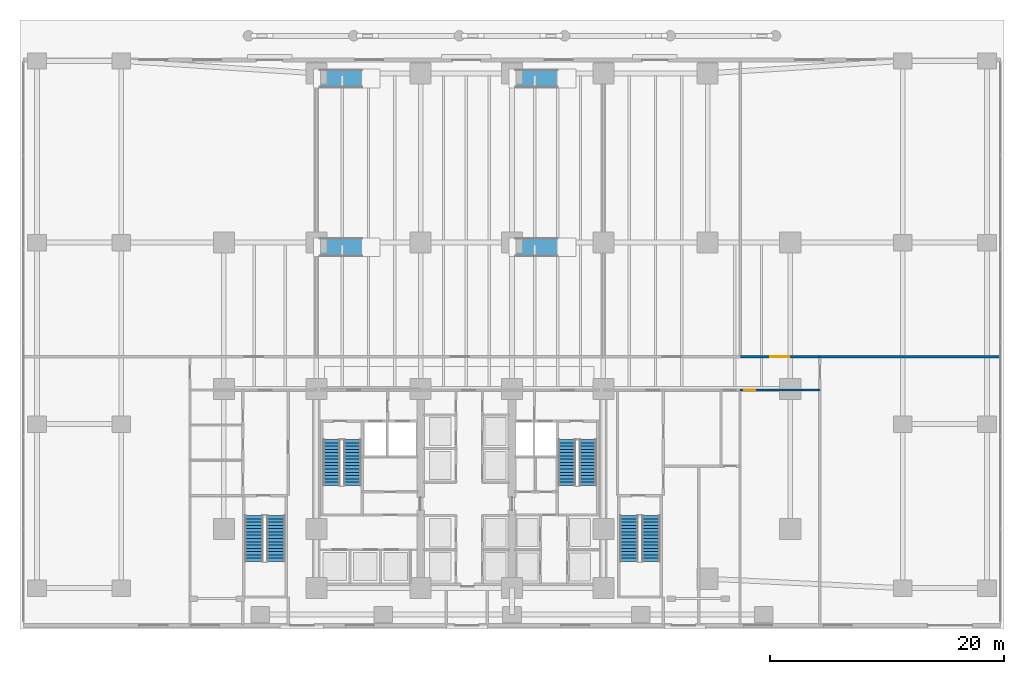
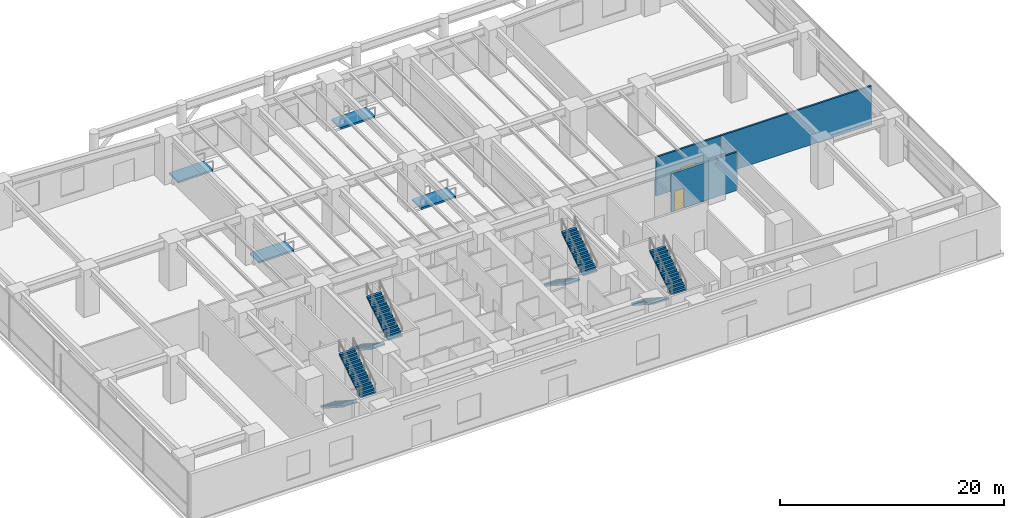
# One storey, part 15 of 19: 8 stair flights, 4 ramp flights, 3 walls, 2 doors, 2 openings, 8 elements without a shape of their own.
"""IFC4 building model written with IfcOpenShell, lengths in metres."""

from ifc_helpers import new_model, si_unit, direction, frame, frame_2d, origin, place, context, subcontext, project, spatial, polyline, rectangle, outline, extrude, material, layer, layer_set, type_object, element, fill, aggregate, save


model = new_model("IFC4")

# Units and contexts
model_context = context("Model", 3, precision=1e-05, world=origin(), true_north=direction((0.0, 1.0)))
body_context = subcontext(model_context, "Body", "Model", "MODEL_VIEW")
ifc_project = project(units=[si_unit("LENGTHUNIT", "METRE"), si_unit("AREAUNIT", "SQUARE_METRE"), si_unit("VOLUMEUNIT", "CUBIC_METRE"), si_unit("PLANEANGLEUNIT", "RADIAN"), si_unit("MASSUNIT", "GRAM", prefix="KILO")], contexts=[model_context])

# Site, building, storey
site_placement = place(None, origin())
site = spatial("IfcSite", under=ifc_project, at=site_placement, CompositionType="ELEMENT")
building_placement = place(site_placement, origin())
building = spatial("IfcBuilding", under=site, at=building_placement, Name="Qalmaran Belvedere Hotel", CompositionType="ELEMENT")
storey_placement = place(building_placement, origin())
storey = spatial("IfcBuildingStorey", under=building, at=storey_placement, Name="L00", CompositionType="ELEMENT", Elevation=0.0)

# Wall, opening, door
ifc_material_1 = material(Name="Gypsum Stud Partition")
ifc_layer_1 = layer(ifc_material_1, 0.179931640625, Name="Gypsum Stud Partition")
ifc_layer_set_1 = layer_set([ifc_layer_1], Name="Gypsum Stud Partition")
wall_type = type_object("IfcWallType", Name="WL-INT-180-EI60", PredefinedType="PARTITIONING", material=ifc_layer_set_1)
wall_1_placement = place(storey_placement, frame((56.47998046875, 20.419921875, 0.0), z_axis=(0.0, 0.0, 1.0), x_axis=(1.0, 0.0, 0.0)))
wall_1 = element("IfcWall", 1, at=wall_1_placement, inside=storey, type_object=wall_type, Name="L00 Partition WL-L00-VALN", PredefinedType="PARTITIONING", context=body_context, shape_type="SweptSolid", body=[
    extrude(rectangle(XDim=6.800048828125, YDim=0.179931640625, at=frame_2d((3.39990234375, 0.0))), origin(), (0.0, 0.0, 1.0), 4.1640625),
])
opening_1_placement = place(wall_1_placement, frame((1.28759765625, 0.0, 0.0), z_axis=(0.0, 0.0, 1.0), x_axis=(-1.0, 0.0, 0.0)))
opening_1 = element("IfcOpeningElement", 2, at=opening_1_placement, cuts=wall_1, Name="Opening FD60", PredefinedType="OPENING", context=body_context, shape_type="SweptSolid", body=[
    extrude(rectangle(XDim=0.949951171875, YDim=2.14990234375, at=frame_2d((0.47509765625, 1.074951171875))), frame((0.0, 0.10009765625, 0.0), z_axis=(0.0, -1.0, 0.0), x_axis=(1.0, 0.0, 0.0)), (0.0, 0.0, 1.0), 0.199951171875),
])
ifc_material_2 = material(Name="Engineered Oak Veneer")
door_type_1 = type_object("IfcDoorType", Name="DR-FD60-950X2150", OperationType="NOTDEFINED", PredefinedType="DOOR", material=ifc_material_2)
door_1_placement = place(opening_1_placement, origin())
door_1 = element("IfcDoor", 3, at=door_1_placement, inside=storey, type_object=door_type_1, Name="L00 Valet Office Door", OperationType="SINGLE_SWING_LEFT", OverallHeight=2.14990234375, OverallWidth=0.949951171875, PredefinedType="DOOR", context=body_context, shape_type="SweptSolid", body=[
    extrude(rectangle(XDim=0.949951171875, YDim=2.14990234375, at=frame_2d((0.47509765625, 1.074951171875))), frame((0.0, 0.02490234375, 0.0), z_axis=(0.0, -1.0, 0.0), x_axis=(1.0, 0.0, 0.0)), (0.0, 0.0, 1.0), 0.050048828125),
])
fill(opening_1, door_1)

wall_2_placement = place(storey_placement, frame((56.5, 23.25, 0.0), z_axis=(0.0, 0.0, 1.0), x_axis=(1.0, 0.0, 0.0)))
wall_2 = element("IfcWall", 4, at=wall_2_placement, inside=storey, type_object=wall_type, Name="L00 Partition WL-L00-GND4", PredefinedType="PARTITIONING", context=body_context, shape_type="SweptSolid", body=[
    extrude(rectangle(XDim=6.699951171875, YDim=0.179931640625, at=frame_2d((3.35009765625, 0.0))), origin(), (0.0, 0.0, 1.0), 4.22998046875),
])
opening_2_placement = place(wall_2_placement, frame((2.550048828125, 0.0, 0.0)))
opening_2 = element("IfcOpeningElement", 5, at=opening_2_placement, cuts=wall_2, Name="Opening FD60D", PredefinedType="OPENING", context=body_context, shape_type="SweptSolid", body=[
    extrude(rectangle(XDim=1.60009765625, YDim=2.219970703125, at=frame_2d((0.800048828125, 1.10986328125))), frame((0.0, 0.10009765625, 0.0), z_axis=(0.0, -1.0, 0.0), x_axis=(1.0, 0.0, 0.0)), (0.0, 0.0, 1.0), 0.199951171875),
])
door_type_2 = type_object("IfcDoorType", Name="DR-FD60D-1600X2220", OperationType="NOTDEFINED", PredefinedType="DOOR", material=ifc_material_2)
door_2_placement = place(opening_2_placement, origin())
door_2 = element("IfcDoor", 6, at=door_2_placement, inside=storey, type_object=door_type_2, Name="L00 Luxury Retail Boutique Door", OperationType="DOUBLE_DOOR_SINGLE_SWING", OverallHeight=2.219970703125, OverallWidth=1.60009765625, PredefinedType="DOOR", context=body_context, shape_type="SweptSolid", body=[
    extrude(rectangle(XDim=1.60009765625, YDim=2.219970703125, at=frame_2d((0.800048828125, 1.10986328125))), frame((0.0, 0.02490234375, 0.0), z_axis=(0.0, -1.0, 0.0), x_axis=(1.0, 0.0, 0.0)), (0.0, 0.0, 1.0), 0.050048828125),
])
fill(opening_2, door_2)

# Wall
wall_3_placement = place(storey_placement, frame((63.199951171875, 23.25, 0.0), z_axis=(0.0, 0.0, 1.0), x_axis=(1.0, 0.0, 0.0)))
element("IfcWall", 7, at=wall_3_placement, inside=storey, type_object=wall_type, Name="L00 Partition WL-L00-GNE4", PredefinedType="PARTITIONING", context=body_context, shape_type="SweptSolid", body=[
    extrude(rectangle(XDim=15.580078125, YDim=0.179931640625, at=frame_2d((7.7900390625, 0.0))), origin(), (0.0, 0.0, 1.0), 4.22998046875),
])

# Stair, stair flights
ifc_material_3 = material(Name="Concrete C40/50", Category="concrete")
stair_type_1 = type_object("IfcStairType", Name="STR-ST-1-1450-R1800", PredefinedType="HALF_TURN_STAIR", material=ifc_material_3)
stair_1_placement = place(storey_placement, origin())
stair_1 = element("IfcStair", 8, at=stair_1_placement, inside=storey, type_object=stair_type_1, Name="L00 West Core Exit Stair ST-1", PredefinedType="HALF_TURN_STAIR")
ifc_layer_2 = layer(ifc_material_3, 0.14990234375, Name="Concrete C40/50")
ifc_layer_set_2 = layer_set([ifc_layer_2], Name="Concrete C40/50")
stair_flight_type_1 = type_object("IfcStairFlightType", Name="STF-ST-1-1450-R1800", PredefinedType="STRAIGHT", material=ifc_layer_set_2)
stair_flight_1_placement = place(storey_placement, frame((21.60498046875, 16.18994140625, 0.0), z_axis=(0.0, 0.0, 1.0), x_axis=(0.0, -1.0, 0.0)))
stair_flight_1 = element("IfcStairFlight", 9, at=stair_flight_1_placement, type_object=stair_flight_type_1, Name="ST-1 flight 1", NumberOfRisers=15, NumberOfTreads=14, PredefinedType="STRAIGHT", RiserHeight=0.18, TreadLength=0.28, context=body_context, shape_type="SweptSolid", body=[
    extrude(outline(polyline([(0.0, 0.0), (0.0, 0.179931640625), (0.280029296875, 0.179931640625), (0.280029296875, 0.360107421875), (0.56005859375, 0.360107421875), (0.56005859375, 0.5400390625), (0.840087890625, 0.5400390625), (0.840087890625, 0.719970703125), (1.1201171875, 0.719970703125), (1.1201171875, 0.89990234375), (1.39990234375, 0.89990234375), (1.39990234375, 1.080078125), (1.679931640625, 1.080078125), (1.679931640625, 1.260009765625), (1.9599609375, 1.260009765625), (1.9599609375, 1.43994140625), (2.239990234375, 1.43994140625), (2.239990234375, 1.6201171875), (2.52001953125, 1.6201171875), (2.52001953125, 1.800048828125), (2.800048828125, 1.800048828125), (2.800048828125, 1.97998046875), (3.080078125, 1.97998046875), (3.080078125, 2.159912109375), (3.360107421875, 2.159912109375), (3.360107421875, 2.340087890625), (3.639892578125, 2.340087890625), (3.639892578125, 2.52001953125), (3.919921875, 2.52001953125), (3.919921875, 2.699951171875), (3.919921875, 2.341796875), (0.277099609375, 0.0), (0.0, 0.0)])), frame((0.0, 0.72509765625, 0.0), z_axis=(0.0, -1.0, 0.0), x_axis=(1.0, 0.0, 0.0)), (0.0, 0.0, 1.0), 1.449951171875),
])
stair_flight_2_placement = place(storey_placement, frame((23.39501953125, 12.27001953125, 2.699951171875), z_axis=(0.0, 0.0, 1.0), x_axis=(0.0, 1.0, 0.0)))
stair_flight_2 = element("IfcStairFlight", 10, at=stair_flight_2_placement, type_object=stair_flight_type_1, Name="ST-1 flight 2", NumberOfRisers=15, NumberOfTreads=14, PredefinedType="STRAIGHT", RiserHeight=0.18, TreadLength=0.28, context=body_context, shape_type="SweptSolid", body=[
    extrude(outline(polyline([(0.0, 0.0), (0.0, 0.179931640625), (0.280029296875, 0.179931640625), (0.280029296875, 0.360107421875), (0.56005859375, 0.360107421875), (0.56005859375, 0.5400390625), (0.840087890625, 0.5400390625), (0.840087890625, 0.719970703125), (1.1201171875, 0.719970703125), (1.1201171875, 0.89990234375), (1.39990234375, 0.89990234375), (1.39990234375, 1.080078125), (1.679931640625, 1.080078125), (1.679931640625, 1.260009765625), (1.9599609375, 1.260009765625), (1.9599609375, 1.43994140625), (2.239990234375, 1.43994140625), (2.239990234375, 1.6201171875), (2.52001953125, 1.6201171875), (2.52001953125, 1.800048828125), (2.800048828125, 1.800048828125), (2.800048828125, 1.97998046875), (3.080078125, 1.97998046875), (3.080078125, 2.159912109375), (3.360107421875, 2.159912109375), (3.360107421875, 2.340087890625), (3.639892578125, 2.340087890625), (3.639892578125, 2.52001953125), (3.919921875, 2.52001953125), (3.919921875, 2.699951171875), (3.919921875, 2.341796875), (0.277099609375, 0.0), (0.0, 0.0)])), frame((0.0, 0.72509765625, 0.0), z_axis=(0.0, -1.0, 0.0), x_axis=(1.0, 0.0, 0.0)), (0.0, 0.0, 1.0), 1.449951171875),
])
aggregate(stair_1, [stair_flight_1, stair_flight_2])

stair_type_2 = type_object("IfcStairType", Name="STR-ST-2-1450-R1800", PredefinedType="HALF_TURN_STAIR", material=ifc_material_3)
stair_2_placement = place(storey_placement, origin())
stair_2 = element("IfcStair", 11, at=stair_2_placement, inside=storey, type_object=stair_type_2, Name="L00 East Core Exit Stair ST-2", PredefinedType="HALF_TURN_STAIR")
ifc_layer_3 = layer(ifc_material_3, 0.14990234375, Name="Concrete C40/50")
ifc_layer_set_3 = layer_set([ifc_layer_3], Name="Concrete C40/50")
stair_flight_type_2 = type_object("IfcStairFlightType", Name="STF-ST-2-1450-R1800", PredefinedType="STRAIGHT", material=ifc_layer_set_3)
stair_flight_3_placement = place(storey_placement, frame((41.68505859375, 16.18994140625, 0.0), z_axis=(0.0, 0.0, 1.0), x_axis=(0.0, -1.0, 0.0)))
stair_flight_3 = element("IfcStairFlight", 12, at=stair_flight_3_placement, type_object=stair_flight_type_2, Name="ST-2 flight 1", NumberOfRisers=15, NumberOfTreads=14, PredefinedType="STRAIGHT", RiserHeight=0.18, TreadLength=0.28, context=body_context, shape_type="SweptSolid", body=[
    extrude(outline(polyline([(0.0, 0.0), (0.0, 0.179931640625), (0.280029296875, 0.179931640625), (0.280029296875, 0.360107421875), (0.56005859375, 0.360107421875), (0.56005859375, 0.5400390625), (0.840087890625, 0.5400390625), (0.840087890625, 0.719970703125), (1.1201171875, 0.719970703125), (1.1201171875, 0.89990234375), (1.39990234375, 0.89990234375), (1.39990234375, 1.080078125), (1.679931640625, 1.080078125), (1.679931640625, 1.260009765625), (1.9599609375, 1.260009765625), (1.9599609375, 1.43994140625), (2.239990234375, 1.43994140625), (2.239990234375, 1.6201171875), (2.52001953125, 1.6201171875), (2.52001953125, 1.800048828125), (2.800048828125, 1.800048828125), (2.800048828125, 1.97998046875), (3.080078125, 1.97998046875), (3.080078125, 2.159912109375), (3.360107421875, 2.159912109375), (3.360107421875, 2.340087890625), (3.639892578125, 2.340087890625), (3.639892578125, 2.52001953125), (3.919921875, 2.52001953125), (3.919921875, 2.699951171875), (3.919921875, 2.341796875), (0.277099609375, 0.0), (0.0, 0.0)])), frame((0.0, 0.72509765625, 0.0), z_axis=(0.0, -1.0, 0.0), x_axis=(1.0, 0.0, 0.0)), (0.0, 0.0, 1.0), 1.449951171875),
])
stair_flight_4_placement = place(storey_placement, frame((43.47509765625, 12.27001953125, 2.699951171875), z_axis=(0.0, 0.0, 1.0), x_axis=(0.0, 1.0, 0.0)))
stair_flight_4 = element("IfcStairFlight", 13, at=stair_flight_4_placement, type_object=stair_flight_type_2, Name="ST-2 flight 2", NumberOfRisers=15, NumberOfTreads=14, PredefinedType="STRAIGHT", RiserHeight=0.18, TreadLength=0.28, context=body_context, shape_type="SweptSolid", body=[
    extrude(outline(polyline([(0.0, 0.0), (0.0, 0.179931640625), (0.280029296875, 0.179931640625), (0.280029296875, 0.360107421875), (0.56005859375, 0.360107421875), (0.56005859375, 0.5400390625), (0.840087890625, 0.5400390625), (0.840087890625, 0.719970703125), (1.1201171875, 0.719970703125), (1.1201171875, 0.89990234375), (1.39990234375, 0.89990234375), (1.39990234375, 1.080078125), (1.679931640625, 1.080078125), (1.679931640625, 1.260009765625), (1.9599609375, 1.260009765625), (1.9599609375, 1.43994140625), (2.239990234375, 1.43994140625), (2.239990234375, 1.6201171875), (2.52001953125, 1.6201171875), (2.52001953125, 1.800048828125), (2.800048828125, 1.800048828125), (2.800048828125, 1.97998046875), (3.080078125, 1.97998046875), (3.080078125, 2.159912109375), (3.360107421875, 2.159912109375), (3.360107421875, 2.340087890625), (3.639892578125, 2.340087890625), (3.639892578125, 2.52001953125), (3.919921875, 2.52001953125), (3.919921875, 2.699951171875), (3.919921875, 2.341796875), (0.277099609375, 0.0), (0.0, 0.0)])), frame((0.0, 0.72509765625, 0.0), z_axis=(0.0, -1.0, 0.0), x_axis=(1.0, 0.0, 0.0)), (0.0, 0.0, 1.0), 1.449951171875),
])
aggregate(stair_2, [stair_flight_3, stair_flight_4])

stair_type_3 = type_object("IfcStairType", Name="STR-ST-P1-1550-R1800", PredefinedType="HALF_TURN_STAIR", material=ifc_material_3)
stair_3_placement = place(storey_placement, origin())
stair_3 = element("IfcStair", 14, at=stair_3_placement, inside=storey, type_object=stair_type_3, Name="L00 West Podium Exit Stair ST-P1", PredefinedType="HALF_TURN_STAIR")
ifc_layer_4 = layer(ifc_material_3, 0.14990234375, Name="Concrete C40/50")
ifc_layer_set_4 = layer_set([ifc_layer_4], Name="Concrete C40/50")
stair_flight_type_3 = type_object("IfcStairFlightType", Name="STF-ST-P1-1550-R1800", PredefinedType="STRAIGHT", material=ifc_layer_set_4)
stair_flight_5_placement = place(storey_placement, frame((14.97509765625, 9.699951171875, 0.0), z_axis=(0.0, 0.0, 1.0), x_axis=(0.0, -1.0, 0.0)))
stair_flight_5 = element("IfcStairFlight", 15, at=stair_flight_5_placement, type_object=stair_flight_type_3, Name="ST-P1 flight 1", NumberOfRisers=15, NumberOfTreads=14, PredefinedType="STRAIGHT", RiserHeight=0.18, TreadLength=0.28, context=body_context, shape_type="SweptSolid", body=[
    extrude(outline(polyline([(0.0, 0.0), (0.0, 0.179931640625), (0.280029296875, 0.179931640625), (0.280029296875, 0.360107421875), (0.56005859375, 0.360107421875), (0.56005859375, 0.5400390625), (0.840087890625, 0.5400390625), (0.840087890625, 0.719970703125), (1.1201171875, 0.719970703125), (1.1201171875, 0.89990234375), (1.39990234375, 0.89990234375), (1.39990234375, 1.080078125), (1.679931640625, 1.080078125), (1.679931640625, 1.260009765625), (1.9599609375, 1.260009765625), (1.9599609375, 1.43994140625), (2.239990234375, 1.43994140625), (2.239990234375, 1.6201171875), (2.52001953125, 1.6201171875), (2.52001953125, 1.800048828125), (2.800048828125, 1.800048828125), (2.800048828125, 1.97998046875), (3.080078125, 1.97998046875), (3.080078125, 2.159912109375), (3.360107421875, 2.159912109375), (3.360107421875, 2.340087890625), (3.639892578125, 2.340087890625), (3.639892578125, 2.52001953125), (3.919921875, 2.52001953125), (3.919921875, 2.699951171875), (3.919921875, 2.341796875), (0.277099609375, 0.0), (0.0, 0.0)])), frame((0.0, 0.77490234375, 0.0), z_axis=(0.0, -1.0, 0.0), x_axis=(1.0, 0.0, 0.0)), (0.0, 0.0, 1.0), 1.550048828125),
])
stair_flight_6_placement = place(storey_placement, frame((16.864990234375, 5.780029296875, 2.699951171875), z_axis=(0.0, 0.0, 1.0), x_axis=(0.0, 1.0, 0.0)))
stair_flight_6 = element("IfcStairFlight", 16, at=stair_flight_6_placement, type_object=stair_flight_type_3, Name="ST-P1 flight 2", NumberOfRisers=15, NumberOfTreads=14, PredefinedType="STRAIGHT", RiserHeight=0.18, TreadLength=0.28, context=body_context, shape_type="SweptSolid", body=[
    extrude(outline(polyline([(0.0, 0.0), (0.0, 0.179931640625), (0.280029296875, 0.179931640625), (0.280029296875, 0.360107421875), (0.56005859375, 0.360107421875), (0.56005859375, 0.5400390625), (0.840087890625, 0.5400390625), (0.840087890625, 0.719970703125), (1.1201171875, 0.719970703125), (1.1201171875, 0.89990234375), (1.39990234375, 0.89990234375), (1.39990234375, 1.080078125), (1.679931640625, 1.080078125), (1.679931640625, 1.260009765625), (1.9599609375, 1.260009765625), (1.9599609375, 1.43994140625), (2.239990234375, 1.43994140625), (2.239990234375, 1.6201171875), (2.52001953125, 1.6201171875), (2.52001953125, 1.800048828125), (2.800048828125, 1.800048828125), (2.800048828125, 1.97998046875), (3.080078125, 1.97998046875), (3.080078125, 2.159912109375), (3.360107421875, 2.159912109375), (3.360107421875, 2.340087890625), (3.639892578125, 2.340087890625), (3.639892578125, 2.52001953125), (3.919921875, 2.52001953125), (3.919921875, 2.699951171875), (3.919921875, 2.341796875), (0.277099609375, 0.0), (0.0, 0.0)])), frame((0.0, 0.77490234375, 0.0), z_axis=(0.0, -1.0, 0.0), x_axis=(1.0, 0.0, 0.0)), (0.0, 0.0, 1.0), 1.550048828125),
])
aggregate(stair_3, [stair_flight_5, stair_flight_6])

stair_type_4 = type_object("IfcStairType", Name="STR-ST-P2-1550-R1800", PredefinedType="HALF_TURN_STAIR", material=ifc_material_3)
stair_4_placement = place(storey_placement, origin())
stair_4 = element("IfcStair", 17, at=stair_4_placement, inside=storey, type_object=stair_type_4, Name="L00 East Podium Exit Stair ST-P2", PredefinedType="HALF_TURN_STAIR")
ifc_layer_5 = layer(ifc_material_3, 0.14990234375, Name="Concrete C40/50")
ifc_layer_set_5 = layer_set([ifc_layer_5], Name="Concrete C40/50")
stair_flight_type_4 = type_object("IfcStairFlightType", Name="STF-ST-P2-1550-R1800", PredefinedType="STRAIGHT", material=ifc_layer_set_5)
stair_flight_7_placement = place(storey_placement, frame((46.97509765625, 9.699951171875, 0.0), z_axis=(0.0, 0.0, 1.0), x_axis=(0.0, -1.0, 0.0)))
stair_flight_7 = element("IfcStairFlight", 18, at=stair_flight_7_placement, type_object=stair_flight_type_4, Name="ST-P2 flight 1", NumberOfRisers=15, NumberOfTreads=14, PredefinedType="STRAIGHT", RiserHeight=0.18, TreadLength=0.28, context=body_context, shape_type="SweptSolid", body=[
    extrude(outline(polyline([(0.0, 0.0), (0.0, 0.179931640625), (0.280029296875, 0.179931640625), (0.280029296875, 0.360107421875), (0.56005859375, 0.360107421875), (0.56005859375, 0.5400390625), (0.840087890625, 0.5400390625), (0.840087890625, 0.719970703125), (1.1201171875, 0.719970703125), (1.1201171875, 0.89990234375), (1.39990234375, 0.89990234375), (1.39990234375, 1.080078125), (1.679931640625, 1.080078125), (1.679931640625, 1.260009765625), (1.9599609375, 1.260009765625), (1.9599609375, 1.43994140625), (2.239990234375, 1.43994140625), (2.239990234375, 1.6201171875), (2.52001953125, 1.6201171875), (2.52001953125, 1.800048828125), (2.800048828125, 1.800048828125), (2.800048828125, 1.97998046875), (3.080078125, 1.97998046875), (3.080078125, 2.159912109375), (3.360107421875, 2.159912109375), (3.360107421875, 2.340087890625), (3.639892578125, 2.340087890625), (3.639892578125, 2.52001953125), (3.919921875, 2.52001953125), (3.919921875, 2.699951171875), (3.919921875, 2.341796875), (0.277099609375, 0.0), (0.0, 0.0)])), frame((0.0, 0.77490234375, 0.0), z_axis=(0.0, -1.0, 0.0), x_axis=(1.0, 0.0, 0.0)), (0.0, 0.0, 1.0), 1.550048828125),
])
stair_flight_8_placement = place(storey_placement, frame((48.864990234375, 5.780029296875, 2.699951171875), z_axis=(0.0, 0.0, 1.0), x_axis=(0.0, 1.0, 0.0)))
stair_flight_8 = element("IfcStairFlight", 19, at=stair_flight_8_placement, type_object=stair_flight_type_4, Name="ST-P2 flight 2", NumberOfRisers=15, NumberOfTreads=14, PredefinedType="STRAIGHT", RiserHeight=0.18, TreadLength=0.28, context=body_context, shape_type="SweptSolid", body=[
    extrude(outline(polyline([(0.0, 0.0), (0.0, 0.179931640625), (0.280029296875, 0.179931640625), (0.280029296875, 0.360107421875), (0.56005859375, 0.360107421875), (0.56005859375, 0.5400390625), (0.840087890625, 0.5400390625), (0.840087890625, 0.719970703125), (1.1201171875, 0.719970703125), (1.1201171875, 0.89990234375), (1.39990234375, 0.89990234375), (1.39990234375, 1.080078125), (1.679931640625, 1.080078125), (1.679931640625, 1.260009765625), (1.9599609375, 1.260009765625), (1.9599609375, 1.43994140625), (2.239990234375, 1.43994140625), (2.239990234375, 1.6201171875), (2.52001953125, 1.6201171875), (2.52001953125, 1.800048828125), (2.800048828125, 1.800048828125), (2.800048828125, 1.97998046875), (3.080078125, 1.97998046875), (3.080078125, 2.159912109375), (3.360107421875, 2.159912109375), (3.360107421875, 2.340087890625), (3.639892578125, 2.340087890625), (3.639892578125, 2.52001953125), (3.919921875, 2.52001953125), (3.919921875, 2.699951171875), (3.919921875, 2.341796875), (0.277099609375, 0.0), (0.0, 0.0)])), frame((0.0, 0.77490234375, 0.0), z_axis=(0.0, -1.0, 0.0), x_axis=(1.0, 0.0, 0.0)), (0.0, 0.0, 1.0), 1.550048828125),
])
aggregate(stair_4, [stair_flight_7, stair_flight_8])

# Ramp, ramp flight
ramp_type = type_object("IfcRampType", Name="RMP-ACC-1600", PredefinedType="STRAIGHT_RUN_RAMP", material=ifc_material_3)
ramp_1_placement = place(storey_placement, origin())
ramp_1 = element("IfcRamp", 20, at=ramp_1_placement, inside=storey, type_object=ramp_type, Name="L00 Accessible Threshold Ramp RMP-L00-N1", PredefinedType="STRAIGHT_RUN_RAMP")
ifc_layer_6 = layer(ifc_material_3, 0.199951171875, Name="Concrete C40/50")
ifc_layer_set_6 = layer_set([ifc_layer_6], Name="Concrete C40/50")
ramp_flight_type = type_object("IfcRampFlightType", Name="RMF-ACC-1600", PredefinedType="STRAIGHT", material=ifc_layer_set_6)
ramp_flight_1_placement = place(storey_placement, frame((20.60009765625, 31.800048828125, 0.199951171875), z_axis=(-0.011121726475, 0.0, 0.999938151687), x_axis=(0.999938151687, 0.0, 0.011121726475)))
ramp_flight_1 = element("IfcRampFlight", 21, at=ramp_flight_1_placement, type_object=ramp_flight_type, Name="L00 Accessible Ramp Flight RMP-L00-N1", PredefinedType="STRAIGHT", context=body_context, shape_type="SweptSolid", body=[
    extrude(outline(polyline([(0.0, 0.0), (3.6000761742612553, 0.0), (3.6000761742612553, 1.5998535156250004), (0.0, 1.5998535156250004), (0.0, 0.0)])), origin(), (0.0, 0.0, -1.0), 0.199951171875),
])
aggregate(ramp_1, [ramp_flight_1])

ramp_2_placement = place(storey_placement, origin())
ramp_2 = element("IfcRamp", 22, at=ramp_2_placement, inside=storey, type_object=ramp_type, Name="L00 Accessible Threshold Ramp RMP-L00-N2", PredefinedType="STRAIGHT_RUN_RAMP")
ramp_flight_2_placement = place(storey_placement, frame((37.300048828125, 31.800048828125, 0.199951171875), z_axis=(-0.011121726475, 0.0, 0.999938151687), x_axis=(0.999938151687, 0.0, 0.011121726475)))
ramp_flight_2 = element("IfcRampFlight", 23, at=ramp_flight_2_placement, type_object=ramp_flight_type, Name="L00 Accessible Ramp Flight RMP-L00-N2", PredefinedType="STRAIGHT", context=body_context, shape_type="SweptSolid", body=[
    extrude(outline(polyline([(0.0, 0.0), (3.6000761742612553, 0.0), (3.6000761742612553, 1.5998535156250004), (0.0, 1.5998535156250004), (0.0, 0.0)])), origin(), (0.0, 0.0, -1.0), 0.199951171875),
])
aggregate(ramp_2, [ramp_flight_2])

ramp_3_placement = place(storey_placement, origin())
ramp_3 = element("IfcRamp", 24, at=ramp_3_placement, inside=storey, type_object=ramp_type, Name="L00 Accessible Threshold Ramp RMP-L00-S1", PredefinedType="STRAIGHT_RUN_RAMP")
ramp_flight_3_placement = place(storey_placement, frame((20.60009765625, 46.199951171875, 0.199951171875), z_axis=(-0.011121726475, 0.0, 0.999938151687), x_axis=(0.999938151687, 0.0, 0.011121726475)))
ramp_flight_3 = element("IfcRampFlight", 25, at=ramp_flight_3_placement, type_object=ramp_flight_type, Name="L00 Accessible Ramp Flight RMP-L00-S1", PredefinedType="STRAIGHT", context=body_context, shape_type="SweptSolid", body=[
    extrude(outline(polyline([(0.0, 0.0), (3.6000761742612553, 0.0), (3.6000761742612553, 1.60009765625), (0.0, 1.60009765625), (0.0, 0.0)])), origin(), (0.0, 0.0, -1.0), 0.199951171875),
])
aggregate(ramp_3, [ramp_flight_3])

ramp_4_placement = place(storey_placement, origin())
ramp_4 = element("IfcRamp", 26, at=ramp_4_placement, inside=storey, type_object=ramp_type, Name="L00 Accessible Threshold Ramp RMP-L00-S2", PredefinedType="STRAIGHT_RUN_RAMP")
ramp_flight_4_placement = place(storey_placement, frame((37.300048828125, 46.199951171875, 0.199951171875), z_axis=(-0.011121726475, 0.0, 0.999938151687), x_axis=(0.999938151687, 0.0, 0.011121726475)))
ramp_flight_4 = element("IfcRampFlight", 27, at=ramp_flight_4_placement, type_object=ramp_flight_type, Name="L00 Accessible Ramp Flight RMP-L00-S2", PredefinedType="STRAIGHT", context=body_context, shape_type="SweptSolid", body=[
    extrude(outline(polyline([(0.0, 0.0), (3.6000761742612553, 0.0), (3.6000761742612553, 1.60009765625), (0.0, 1.60009765625), (0.0, 0.0)])), origin(), (0.0, 0.0, -1.0), 0.199951171875),
])
aggregate(ramp_4, [ramp_flight_4])

save(model, "model.ifc")
